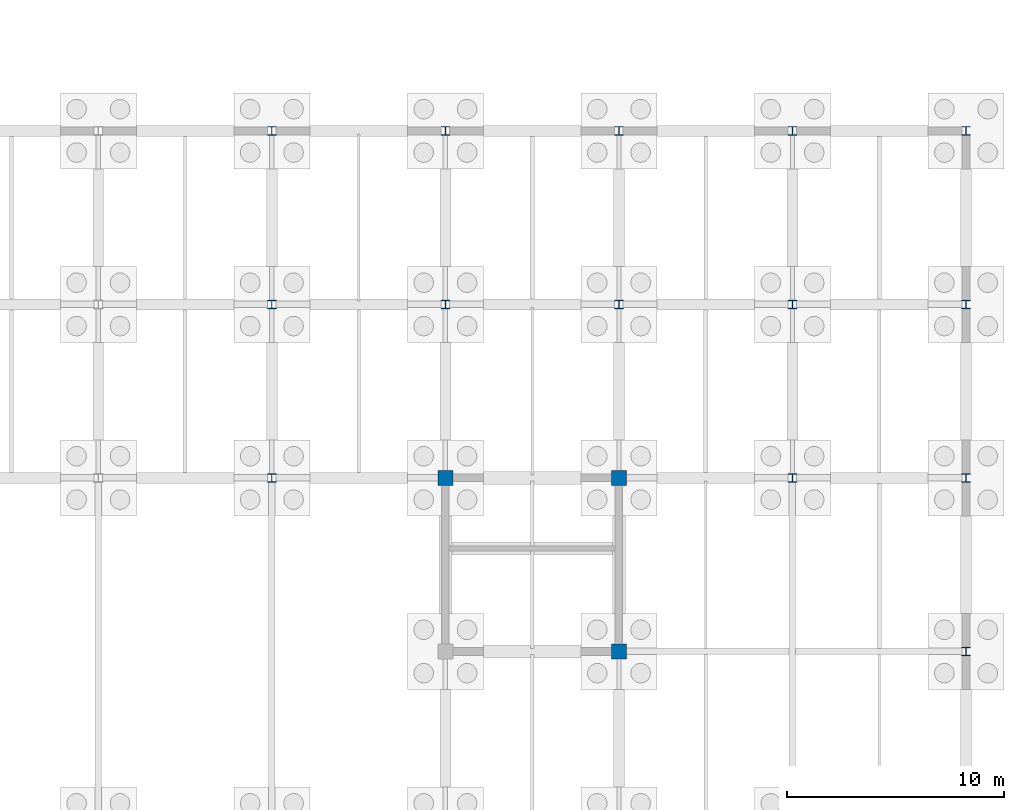
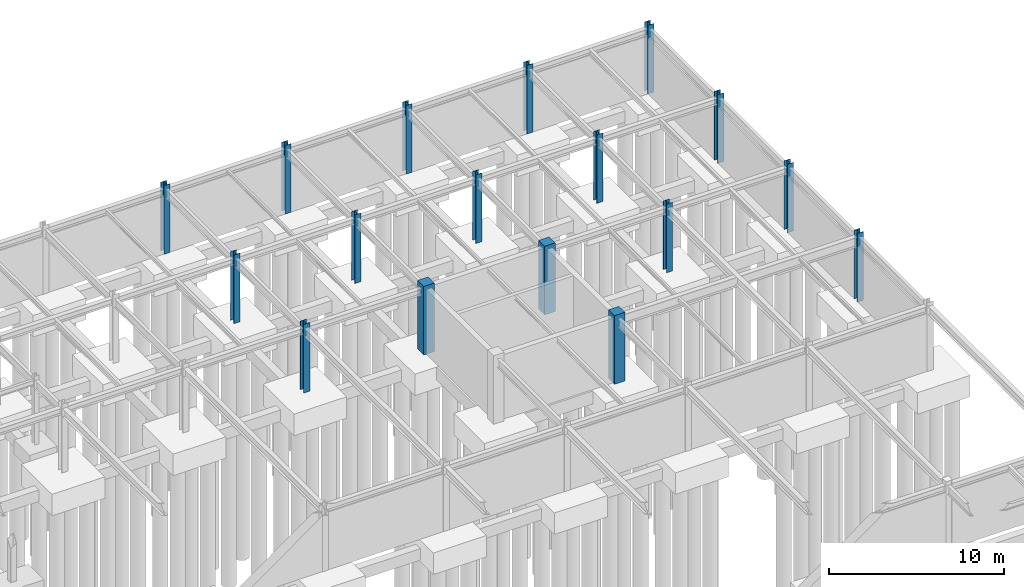
# One storey, part 31 of 72: 17 columns.
"""IFC4 building model written with IfcOpenShell, lengths in metres."""

from ifc_helpers import new_model, si_unit, direction, frame, origin, origin_2d, place, context, subcontext, project, spatial, rectangle, i_section, extrude, material, material_profile, profile_set, type_object, element, save


model = new_model("IFC4")

# Units and contexts
model_context = context("Model", 3, precision=1e-05, world=origin(), true_north=direction((0.0, 1.0)))
body_context = subcontext(model_context, "Body", "Model", "MODEL_VIEW")
ifc_project = project(units=[si_unit("LENGTHUNIT", "METRE"), si_unit("AREAUNIT", "SQUARE_METRE"), si_unit("VOLUMEUNIT", "CUBIC_METRE"), si_unit("PLANEANGLEUNIT", "RADIAN"), si_unit("MASSUNIT", "GRAM", prefix="KILO")], contexts=[model_context])

# Site, building, storey
site_placement = place(None, origin())
site = spatial("IfcSite", under=ifc_project, at=site_placement, CompositionType="ELEMENT")
building_placement = place(site_placement, origin())
building = spatial("IfcBuilding", under=site, at=building_placement, Name="Zhaolan Boulevard Law Courts", CompositionType="ELEMENT")
storey_placement = place(building_placement, frame((0.0, 0.0, -4.800048828125)))
storey = spatial("IfcBuildingStorey", under=building, at=storey_placement, Name="B1", CompositionType="ELEMENT", Elevation=-4.800048828125)

# Columns
ifc_material_1 = material(Name="Structural steel Q390B", Category="steel")
ifc_material_profile_1 = material_profile(ifc_material_1, i_section(OverallWidth=0.39990234375, OverallDepth=0.39990234375, WebThickness=0.012939453125, FlangeThickness=0.02099609375, FilletRadius=0.02197265625, at=origin_2d()), Name="HW400x400")
ifc_profile_set_1 = profile_set([ifc_material_profile_1], Name="Structural steel Q390B")
column_type_1 = type_object("IfcColumnType", Name="COL HW400", PredefinedType="COLUMN", material=ifc_profile_set_1)
for number, where, z_axis, x_axis, name in (
    (1, (132.0, 78.0, 0.0), (0.0, 0.0, 1.0), (1.0, 0.0, 0.0), "Column C-17L (B1)"),
    (2, (132.0, 86.0, 0.0), (0.0, 0.0, 1.0), (1.0, 0.0, 0.0), "Column C-17M (B1)"),
    (3, (132.0, 94.0, 0.0), (0.0, 0.0, 1.0), (1.0, 0.0, 0.0), "Column C-17N (B1)"),
    (4, (140.0, 86.0, 0.0), (0.0, 0.0, 1.0), (1.0, 0.0, 0.0), "Column C-18M (B1)"),
    (5, (140.0, 94.0, 0.0), (0.0, 0.0, 1.0), (1.0, 0.0, 0.0), "Column C-18N (B1)"),
    (6, (148.0, 86.0, 0.0), (0.0, 0.0, 1.0), (1.0, 0.0, 0.0), "Column C-19M (B1)"),
    (7, (148.0, 94.0, 0.0), (0.0, 0.0, 1.0), (1.0, 0.0, 0.0), "Column C-19N (B1)"),
    (8, (156.0, 78.0, 0.0), (0.0, 0.0, 1.0), (1.0, 0.0, 0.0), "Column C-20L (B1)"),
    (9, (156.0, 86.0, 0.0), (0.0, 0.0, 1.0), (1.0, 0.0, 0.0), "Column C-20M (B1)"),
    (10, (156.0, 94.0, 0.0), (0.0, 0.0, 1.0), (1.0, 0.0, 0.0), "Column C-20N (B1)"),
    (11, (164.0, 70.0, 0.0), (0.0, 0.0, 1.0), (1.0, 0.0, 0.0), "Column C-21K (B1)"),
    (12, (164.0, 78.0, 0.0), (0.0, 0.0, 1.0), (1.0, 0.0, 0.0), "Column C-21L (B1)"),
    (13, (164.0, 86.0, 0.0), (0.0, 0.0, 1.0), (1.0, 0.0, 0.0), "Column C-21M (B1)"),
    (14, (164.0, 94.0, 0.0), (0.0, 0.0, 1.0), (1.0, 0.0, 0.0), "Column C-21N (B1)"),
):
    element("IfcColumn", number, at=place(storey_placement, frame(where, z_axis=z_axis, x_axis=x_axis)), inside=storey, type_object=column_type_1, Name=name, PredefinedType="COLUMN", context=body_context, shape_type="SweptSolid", body=[
        extrude(i_section(OverallWidth=0.39990234375, OverallDepth=0.39990234375, WebThickness=0.012939453125, FlangeThickness=0.02099609375, FilletRadius=0.02197265625, at=origin_2d()), origin(), (0.0, 0.0, 1.0), 4.800048828125),
    ])
ifc_material_2 = material(Name="Concrete C50", Category="concrete")
ifc_material_profile_2 = material_profile(ifc_material_2, rectangle(XDim=0.699951171875, YDim=0.699951171875, at=origin_2d()), Name="RC700x700")
ifc_profile_set_2 = profile_set([ifc_material_profile_2], Name="Concrete C50")
column_type_2 = type_object("IfcColumnType", Name="COL RC700", PredefinedType="COLUMN", material=ifc_profile_set_2)
for number, where, z_axis, x_axis, name in (
    (15, (140.0, 78.0, 0.0), (0.0, 0.0, 1.0), (1.0, 0.0, 0.0), "Column C-18L (B1)"),
    (16, (148.0, 70.0, 0.0), (0.0, 0.0, 1.0), (1.0, 0.0, 0.0), "Column C-19K (B1)"),
    (17, (148.0, 78.0, 0.0), (0.0, 0.0, 1.0), (1.0, 0.0, 0.0), "Column C-19L (B1)"),
):
    element("IfcColumn", number, at=place(storey_placement, frame(where, z_axis=z_axis, x_axis=x_axis)), inside=storey, type_object=column_type_2, Name=name, PredefinedType="COLUMN", context=body_context, shape_type="SweptSolid", body=[
        extrude(rectangle(XDim=0.699951171875, YDim=0.699951171875, at=origin_2d()), origin(), (0.0, 0.0, 1.0), 4.800048828125),
    ])

save(model, "model.ifc")
